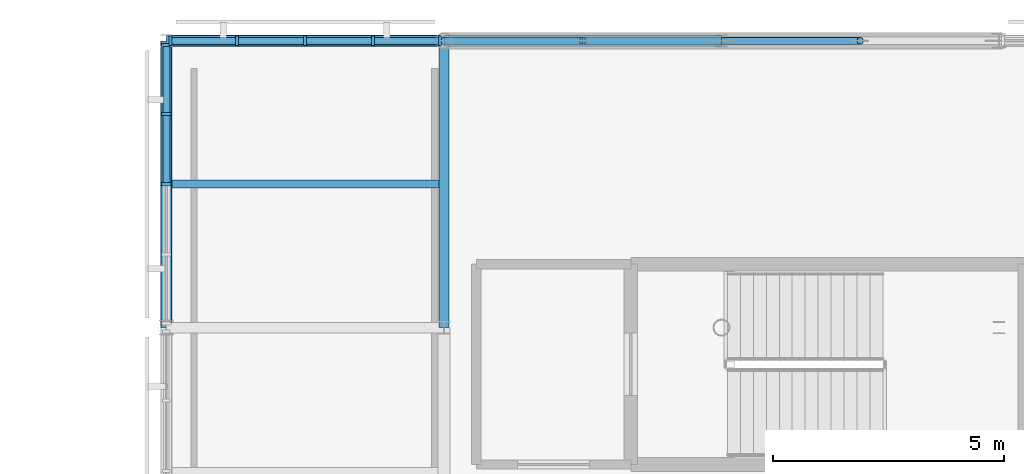
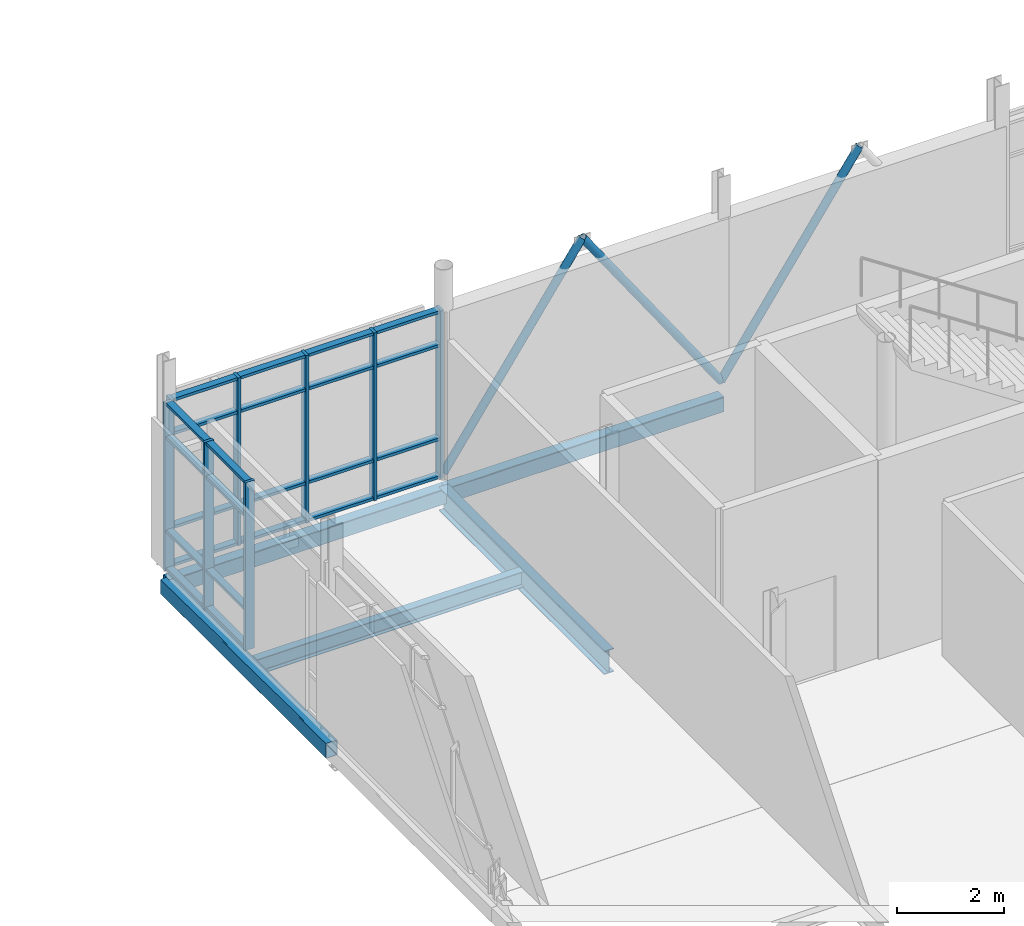
# One storey, part 37 of 84: 35 members, 5 beams, 2 elements without a shape of their own.
"""IFC4 building model written with IfcOpenShell, lengths in metres."""

from ifc_helpers import new_model, si_unit, direction, frame, origin, origin_2d, place, context, subcontext, project, spatial, rectangle, hollow_rectangle, hollow_circle, i_section, extrude, material, layer, layer_set, material_profile, profile_set, type_object, element, aggregate, save


model = new_model("IFC4")

# Units and contexts
model_context = context("Model", 3, precision=1e-05, world=origin(), true_north=direction((0.0, 1.0)))
body_context = subcontext(model_context, "Body", "Model", "MODEL_VIEW")
ifc_project = project(units=[si_unit("LENGTHUNIT", "METRE"), si_unit("AREAUNIT", "SQUARE_METRE"), si_unit("VOLUMEUNIT", "CUBIC_METRE"), si_unit("PLANEANGLEUNIT", "RADIAN"), si_unit("MASSUNIT", "GRAM", prefix="KILO")], contexts=[model_context])

# Site, building, storey
site_placement = place(None, origin())
site = spatial("IfcSite", under=ifc_project, at=site_placement, CompositionType="ELEMENT")
building_placement = place(site_placement, origin())
building = spatial("IfcBuilding", under=site, at=building_placement, Name="Mirzam Square Science Centre", CompositionType="ELEMENT")
storey_placement = place(building_placement, frame((0.0, 0.0, 10.800048828125)))
storey = spatial("IfcBuildingStorey", under=building, at=storey_placement, Name="L02", CompositionType="ELEMENT", Elevation=10.800048828125)

# Beam
ifc_material_1 = material(Name="Steel S355", Category="steel")
ifc_material_profile_1 = material_profile(ifc_material_1, i_section(OverallWidth=0.2099609375, OverallDepth=0.53662109375, WebThickness=0.0107421875, FlangeThickness=0.017333984375, FilletRadius=0.0126953125, at=origin_2d()), Name="533x210x101UB")
ifc_profile_set_1 = profile_set([ifc_material_profile_1], Name="Steel S355")
beam_type_1 = type_object("IfcBeamType", Name="BM-UB533", PredefinedType="BEAM", material=ifc_profile_set_1)
beam_1_placement = place(storey_placement, frame((120.0, 105.39990234375, -0.518310546875), z_axis=(0.0, 1.0, 0.0), x_axis=(-1.0, 0.0, 0.0)))
element("IfcBeam", 1, at=beam_1_placement, inside=storey, type_object=beam_type_1, Name="L02 girder Y21-18", PredefinedType="BEAM", context=body_context, shape_type="SweptSolid", body=[
    extrude(i_section(OverallWidth=0.2099609375, OverallDepth=0.53662109375, WebThickness=0.0107421875, FlangeThickness=0.017333984375, FilletRadius=0.0126953125, at=origin_2d()), origin(), (0.0, 0.0, 1.0), 6.2001953125),
])

# Members
ifc_material_profile_2 = material_profile(ifc_material_1, hollow_circle(Radius=0.084228515625, WallThickness=0.008056640625, at=origin_2d()), Name="168.3x8.0CHS")
ifc_profile_set_2 = profile_set([ifc_material_profile_2], Name="Steel S355")
member_type_1 = type_object("IfcMemberType", Name="BR-CHS168", PredefinedType="BRACE", material=ifc_profile_set_2)
for number, where, z_axis, x_axis, name in (
    (2, (120.0, 111.60009765625, 0.050048828125), (0.56995502797, 0.0, 0.821675888712), (0.0, 1.0, 0.0), "L02 chevron brace 8A"),
    (3, (126.0, 111.60009765625, 0.050048828125), (-0.56995502797, 0.0, 0.821675888712), (0.0, -1.0, 0.0), "L02 chevron brace 8B"),
    (4, (126.0, 111.60009765625, 0.050048828125), (0.56995502797, 0.0, 0.821675888712), (0.0, 1.0, 0.0), "L02 chevron brace 9A"),
):
    element("IfcMember", number, at=place(storey_placement, frame(where, z_axis=z_axis, x_axis=x_axis)), inside=storey, type_object=member_type_1, Name=name, PredefinedType="BRACE", context=body_context, shape_type="SweptSolid", body=[
        extrude(hollow_circle(Radius=0.084228515625, WallThickness=0.008056640625, at=origin_2d()), origin(), (0.0, 0.0, 1.0), 5.263671875),
    ])

# Curtain wall, members
ifc_material_2 = material(Name="Anodised Aluminium and Low-E Solar Glass", Category="aluminium")
ifc_layer_1 = layer(ifc_material_2, 0.159912109375)
ifc_layer_set_1 = layer_set([ifc_layer_1], Name="CW-COURT-B")
curtain_wall_type_1 = type_object("IfcCurtainWallType", Name="CW-COURT-B", PredefinedType="USERDEFINED", material=ifc_layer_set_1)
curtain_wall_1_placement = place(storey_placement, origin())
curtain_wall_1 = element("IfcCurtainWall", 5, at=curtain_wall_1_placement, inside=storey, type_object=curtain_wall_type_1, Name="L02 unitised curtain wall 113", ObjectType="UNITISED CURTAIN WALL", PredefinedType="USERDEFINED")
ifc_material_3 = material(Name="Anodised Architectural Aluminium 6063-T6", Category="aluminium")
ifc_material_profile_3 = material_profile(ifc_material_3, rectangle(XDim=0.06494140625, YDim=0.199951171875, at=origin_2d()), Name="ALU-MULL-200x65x5")
ifc_profile_set_3 = profile_set([ifc_material_profile_3], Name="Anodised Architectural Aluminium 6063-T6")
member_type_2 = type_object("IfcMemberType", Name="CWM-200", PredefinedType="MULLION", material=ifc_profile_set_3)
member_1_placement = place(storey_placement, frame((119.91259765625, 111.60009765625, 0.0), z_axis=(0.0, 0.0, 1.0), x_axis=(-1.0, 0.0, 0.0)))
member_1 = element("IfcMember", 6, at=member_1_placement, type_object=member_type_2, Name="CW-04 mullion 1", PredefinedType="MULLION", context=body_context, shape_type="SweptSolid", body=[
    extrude(rectangle(XDim=0.06494140625, YDim=0.199951171875, at=origin_2d()), origin(), (0.0, 0.0, 1.0), 3.83984375),
])
member_2_placement = place(storey_placement, frame((118.472412109375, 111.60009765625, 0.0), z_axis=(0.0, 0.0, 1.0), x_axis=(-1.0, 0.0, 0.0)))
member_2 = element("IfcMember", 7, at=member_2_placement, type_object=member_type_2, Name="CW-04 mullion 2", PredefinedType="MULLION", context=body_context, shape_type="SweptSolid", body=[
    extrude(rectangle(XDim=0.06494140625, YDim=0.199951171875, at=origin_2d()), origin(), (0.0, 0.0, 1.0), 3.83984375),
])
member_3_placement = place(storey_placement, frame((117.0, 111.60009765625, 0.0), z_axis=(0.0, 0.0, 1.0), x_axis=(-1.0, 0.0, 0.0)))
member_3 = element("IfcMember", 8, at=member_3_placement, type_object=member_type_2, Name="CW-04 mullion 3", PredefinedType="MULLION", context=body_context, shape_type="SweptSolid", body=[
    extrude(rectangle(XDim=0.06494140625, YDim=0.199951171875, at=origin_2d()), origin(), (0.0, 0.0, 1.0), 3.83984375),
])
member_4_placement = place(storey_placement, frame((115.527587890625, 111.60009765625, 0.0), z_axis=(0.0, 0.0, 1.0), x_axis=(-1.0, 0.0, 0.0)))
member_4 = element("IfcMember", 9, at=member_4_placement, type_object=member_type_2, Name="CW-04 mullion 4", PredefinedType="MULLION", context=body_context, shape_type="SweptSolid", body=[
    extrude(rectangle(XDim=0.06494140625, YDim=0.199951171875, at=origin_2d()), origin(), (0.0, 0.0, 1.0), 3.83984375),
])
member_5_placement = place(storey_placement, frame((114.08740234375, 111.60009765625, 0.0), z_axis=(0.0, 0.0, 1.0), x_axis=(-1.0, 0.0, 0.0)))
member_5 = element("IfcMember", 10, at=member_5_placement, type_object=member_type_2, Name="CW-04 mullion 5", PredefinedType="MULLION", context=body_context, shape_type="SweptSolid", body=[
    extrude(rectangle(XDim=0.06494140625, YDim=0.199951171875, at=origin_2d()), origin(), (0.0, 0.0, 1.0), 3.83984375),
])

ifc_layer_2 = layer(ifc_material_2, 0.199951171875)
ifc_layer_set_2 = layer_set([ifc_layer_2], Name="CW-EAST-A")
curtain_wall_type_2 = type_object("IfcCurtainWallType", Name="CW-EAST-A", PredefinedType="USERDEFINED", material=ifc_layer_set_2)
curtain_wall_2_placement = place(storey_placement, origin())
curtain_wall_2 = element("IfcCurtainWall", 11, at=curtain_wall_2_placement, inside=storey, type_object=curtain_wall_type_2, Name="L02 unitised curtain wall 121", ObjectType="UNITISED CURTAIN WALL", PredefinedType="USERDEFINED")
member_6_placement = place(storey_placement, frame((114.0, 111.512451171875, 0.0), z_axis=(0.0, 0.0, 1.0), x_axis=(0.0, -1.0, 0.0)))
member_6 = element("IfcMember", 12, at=member_6_placement, type_object=member_type_2, Name="CW-05 mullion 1", PredefinedType="MULLION", context=body_context, shape_type="SweptSolid", body=[
    extrude(rectangle(XDim=0.06494140625, YDim=0.199951171875, at=origin_2d()), origin(), (0.0, 0.0, 1.0), 3.83984375),
])
member_7_placement = place(storey_placement, frame((114.0, 110.0224609375, 0.0), z_axis=(0.0, 0.0, 1.0), x_axis=(0.0, -1.0, 0.0)))
member_7 = element("IfcMember", 13, at=member_7_placement, type_object=member_type_2, Name="CW-05 mullion 2", PredefinedType="MULLION", context=body_context, shape_type="SweptSolid", body=[
    extrude(rectangle(XDim=0.06494140625, YDim=0.199951171875, at=origin_2d()), origin(), (0.0, 0.0, 1.0), 3.83984375),
])
member_8_placement = place(storey_placement, frame((114.0, 108.5, 0.0), z_axis=(0.0, 0.0, 1.0), x_axis=(0.0, -1.0, 0.0)))
member_8 = element("IfcMember", 14, at=member_8_placement, type_object=member_type_2, Name="CW-05 mullion 3", PredefinedType="MULLION", context=body_context, shape_type="SweptSolid", body=[
    extrude(rectangle(XDim=0.06494140625, YDim=0.199951171875, at=origin_2d()), origin(), (0.0, 0.0, 1.0), 3.83984375),
])

# Member
ifc_material_profile_4 = material_profile(ifc_material_3, rectangle(XDim=0.14990234375, YDim=0.06494140625, at=origin_2d()), Name="ALU-TRAN-150x65x4")
ifc_profile_set_4 = profile_set([ifc_material_profile_4], Name="Anodised Architectural Aluminium 6063-T6")
member_type_3 = type_object("IfcMemberType", Name="CWT-150", PredefinedType="USERDEFINED", material=ifc_profile_set_4)
member_9_placement = place(storey_placement, frame((119.8798828125, 111.60009765625, 0.032470703125), z_axis=(-1.0, 0.0, 0.0), x_axis=(0.0, -1.0, 0.0)))
member_9 = element("IfcMember", 15, at=member_9_placement, type_object=member_type_3, Name="CW-04 transom 1.1", ObjectType="TRANSOM", PredefinedType="USERDEFINED", context=body_context, shape_type="SweptSolid", body=[
    extrude(rectangle(XDim=0.14990234375, YDim=0.06494140625, at=origin_2d()), origin(), (0.0, 0.0, 1.0), 1.375),
])

member_10_placement = place(storey_placement, frame((119.8798828125, 111.60009765625, 0.89990234375), z_axis=(-1.0, 0.0, 0.0), x_axis=(0.0, -1.0, 0.0)))
member_10 = element("IfcMember", 16, at=member_10_placement, type_object=member_type_3, Name="CW-04 transom 1.2", ObjectType="TRANSOM", PredefinedType="USERDEFINED", context=body_context, shape_type="SweptSolid", body=[
    extrude(rectangle(XDim=0.14990234375, YDim=0.06494140625, at=origin_2d()), origin(), (0.0, 0.0, 1.0), 1.375),
])

member_11_placement = place(storey_placement, frame((119.8798828125, 111.60009765625, 3.0400390625), z_axis=(-1.0, 0.0, 0.0), x_axis=(0.0, -1.0, 0.0)))
member_11 = element("IfcMember", 17, at=member_11_placement, type_object=member_type_3, Name="CW-04 transom 1.3", ObjectType="TRANSOM", PredefinedType="USERDEFINED", context=body_context, shape_type="SweptSolid", body=[
    extrude(rectangle(XDim=0.14990234375, YDim=0.06494140625, at=origin_2d()), origin(), (0.0, 0.0, 1.0), 1.375),
])

member_12_placement = place(storey_placement, frame((119.8798828125, 111.60009765625, 3.807373046875), z_axis=(-1.0, 0.0, 0.0), x_axis=(0.0, -1.0, 0.0)))
member_12 = element("IfcMember", 18, at=member_12_placement, type_object=member_type_3, Name="CW-04 transom 1.4", ObjectType="TRANSOM", PredefinedType="USERDEFINED", context=body_context, shape_type="SweptSolid", body=[
    extrude(rectangle(XDim=0.14990234375, YDim=0.06494140625, at=origin_2d()), origin(), (0.0, 0.0, 1.0), 1.375),
])

member_13_placement = place(storey_placement, frame((118.43994140625, 111.60009765625, 0.032470703125), z_axis=(-1.0, 0.0, 0.0), x_axis=(0.0, -1.0, 0.0)))
member_13 = element("IfcMember", 19, at=member_13_placement, type_object=member_type_3, Name="CW-04 transom 2.1", ObjectType="TRANSOM", PredefinedType="USERDEFINED", context=body_context, shape_type="SweptSolid", body=[
    extrude(rectangle(XDim=0.14990234375, YDim=0.06494140625, at=origin_2d()), origin(), (0.0, 0.0, 1.0), 1.407470703125),
])

member_14_placement = place(storey_placement, frame((118.43994140625, 111.60009765625, 0.89990234375), z_axis=(-1.0, 0.0, 0.0), x_axis=(0.0, -1.0, 0.0)))
member_14 = element("IfcMember", 20, at=member_14_placement, type_object=member_type_3, Name="CW-04 transom 2.2", ObjectType="TRANSOM", PredefinedType="USERDEFINED", context=body_context, shape_type="SweptSolid", body=[
    extrude(rectangle(XDim=0.14990234375, YDim=0.06494140625, at=origin_2d()), origin(), (0.0, 0.0, 1.0), 1.407470703125),
])

member_15_placement = place(storey_placement, frame((118.43994140625, 111.60009765625, 3.0400390625), z_axis=(-1.0, 0.0, 0.0), x_axis=(0.0, -1.0, 0.0)))
member_15 = element("IfcMember", 21, at=member_15_placement, type_object=member_type_3, Name="CW-04 transom 2.3", ObjectType="TRANSOM", PredefinedType="USERDEFINED", context=body_context, shape_type="SweptSolid", body=[
    extrude(rectangle(XDim=0.14990234375, YDim=0.06494140625, at=origin_2d()), origin(), (0.0, 0.0, 1.0), 1.407470703125),
])

member_16_placement = place(storey_placement, frame((118.43994140625, 111.60009765625, 3.807373046875), z_axis=(-1.0, 0.0, 0.0), x_axis=(0.0, -1.0, 0.0)))
member_16 = element("IfcMember", 22, at=member_16_placement, type_object=member_type_3, Name="CW-04 transom 2.4", ObjectType="TRANSOM", PredefinedType="USERDEFINED", context=body_context, shape_type="SweptSolid", body=[
    extrude(rectangle(XDim=0.14990234375, YDim=0.06494140625, at=origin_2d()), origin(), (0.0, 0.0, 1.0), 1.407470703125),
])

member_17_placement = place(storey_placement, frame((116.967529296875, 111.60009765625, 0.032470703125), z_axis=(-1.0, 0.0, 0.0), x_axis=(0.0, -1.0, 0.0)))
member_17 = element("IfcMember", 23, at=member_17_placement, type_object=member_type_3, Name="CW-04 transom 3.1", ObjectType="TRANSOM", PredefinedType="USERDEFINED", context=body_context, shape_type="SweptSolid", body=[
    extrude(rectangle(XDim=0.14990234375, YDim=0.06494140625, at=origin_2d()), origin(), (0.0, 0.0, 1.0), 1.407470703125),
])

member_18_placement = place(storey_placement, frame((116.967529296875, 111.60009765625, 0.89990234375), z_axis=(-1.0, 0.0, 0.0), x_axis=(0.0, -1.0, 0.0)))
member_18 = element("IfcMember", 24, at=member_18_placement, type_object=member_type_3, Name="CW-04 transom 3.2", ObjectType="TRANSOM", PredefinedType="USERDEFINED", context=body_context, shape_type="SweptSolid", body=[
    extrude(rectangle(XDim=0.14990234375, YDim=0.06494140625, at=origin_2d()), origin(), (0.0, 0.0, 1.0), 1.407470703125),
])

member_19_placement = place(storey_placement, frame((116.967529296875, 111.60009765625, 3.0400390625), z_axis=(-1.0, 0.0, 0.0), x_axis=(0.0, -1.0, 0.0)))
member_19 = element("IfcMember", 25, at=member_19_placement, type_object=member_type_3, Name="CW-04 transom 3.3", ObjectType="TRANSOM", PredefinedType="USERDEFINED", context=body_context, shape_type="SweptSolid", body=[
    extrude(rectangle(XDim=0.14990234375, YDim=0.06494140625, at=origin_2d()), origin(), (0.0, 0.0, 1.0), 1.407470703125),
])

member_20_placement = place(storey_placement, frame((116.967529296875, 111.60009765625, 3.807373046875), z_axis=(-1.0, 0.0, 0.0), x_axis=(0.0, -1.0, 0.0)))
member_20 = element("IfcMember", 26, at=member_20_placement, type_object=member_type_3, Name="CW-04 transom 3.4", ObjectType="TRANSOM", PredefinedType="USERDEFINED", context=body_context, shape_type="SweptSolid", body=[
    extrude(rectangle(XDim=0.14990234375, YDim=0.06494140625, at=origin_2d()), origin(), (0.0, 0.0, 1.0), 1.407470703125),
])

member_21_placement = place(storey_placement, frame((115.4951171875, 111.60009765625, 0.032470703125), z_axis=(-1.0, 0.0, 0.0), x_axis=(0.0, -1.0, 0.0)))
member_21 = element("IfcMember", 27, at=member_21_placement, type_object=member_type_3, Name="CW-04 transom 4.1", ObjectType="TRANSOM", PredefinedType="USERDEFINED", context=body_context, shape_type="SweptSolid", body=[
    extrude(rectangle(XDim=0.14990234375, YDim=0.06494140625, at=origin_2d()), origin(), (0.0, 0.0, 1.0), 1.375),
])

member_22_placement = place(storey_placement, frame((115.4951171875, 111.60009765625, 0.89990234375), z_axis=(-1.0, 0.0, 0.0), x_axis=(0.0, -1.0, 0.0)))
member_22 = element("IfcMember", 28, at=member_22_placement, type_object=member_type_3, Name="CW-04 transom 4.2", ObjectType="TRANSOM", PredefinedType="USERDEFINED", context=body_context, shape_type="SweptSolid", body=[
    extrude(rectangle(XDim=0.14990234375, YDim=0.06494140625, at=origin_2d()), origin(), (0.0, 0.0, 1.0), 1.375),
])

member_23_placement = place(storey_placement, frame((115.4951171875, 111.60009765625, 3.0400390625), z_axis=(-1.0, 0.0, 0.0), x_axis=(0.0, -1.0, 0.0)))
member_23 = element("IfcMember", 29, at=member_23_placement, type_object=member_type_3, Name="CW-04 transom 4.3", ObjectType="TRANSOM", PredefinedType="USERDEFINED", context=body_context, shape_type="SweptSolid", body=[
    extrude(rectangle(XDim=0.14990234375, YDim=0.06494140625, at=origin_2d()), origin(), (0.0, 0.0, 1.0), 1.375),
])

member_24_placement = place(storey_placement, frame((115.4951171875, 111.60009765625, 3.807373046875), z_axis=(-1.0, 0.0, 0.0), x_axis=(0.0, -1.0, 0.0)))
member_24 = element("IfcMember", 30, at=member_24_placement, type_object=member_type_3, Name="CW-04 transom 4.4", ObjectType="TRANSOM", PredefinedType="USERDEFINED", context=body_context, shape_type="SweptSolid", body=[
    extrude(rectangle(XDim=0.14990234375, YDim=0.06494140625, at=origin_2d()), origin(), (0.0, 0.0, 1.0), 1.375),
])

aggregate(curtain_wall_1, [member_1, member_2, member_3, member_4, member_5, member_9, member_10, member_11, member_12, member_13, member_14, member_15, member_16, member_17, member_18, member_19, member_20, member_21, member_22, member_23, member_24])

member_25_placement = place(storey_placement, frame((114.0, 111.47998046875, 0.032470703125), z_axis=(0.0, -1.0, 0.0), x_axis=(1.0, 0.0, 0.0)))
member_25 = element("IfcMember", 31, at=member_25_placement, type_object=member_type_3, Name="CW-05 transom 1.1", ObjectType="TRANSOM", PredefinedType="USERDEFINED", context=body_context, shape_type="SweptSolid", body=[
    extrude(rectangle(XDim=0.14990234375, YDim=0.06494140625, at=origin_2d()), origin(), (0.0, 0.0, 1.0), 1.425048828125),
])

member_26_placement = place(storey_placement, frame((114.0, 111.47998046875, 0.89990234375), z_axis=(0.0, -1.0, 0.0), x_axis=(1.0, 0.0, 0.0)))
member_26 = element("IfcMember", 32, at=member_26_placement, type_object=member_type_3, Name="CW-05 transom 1.2", ObjectType="TRANSOM", PredefinedType="USERDEFINED", context=body_context, shape_type="SweptSolid", body=[
    extrude(rectangle(XDim=0.14990234375, YDim=0.06494140625, at=origin_2d()), origin(), (0.0, 0.0, 1.0), 1.425048828125),
])

member_27_placement = place(storey_placement, frame((114.0, 111.47998046875, 3.0400390625), z_axis=(0.0, -1.0, 0.0), x_axis=(1.0, 0.0, 0.0)))
member_27 = element("IfcMember", 33, at=member_27_placement, type_object=member_type_3, Name="CW-05 transom 1.3", ObjectType="TRANSOM", PredefinedType="USERDEFINED", context=body_context, shape_type="SweptSolid", body=[
    extrude(rectangle(XDim=0.14990234375, YDim=0.06494140625, at=origin_2d()), origin(), (0.0, 0.0, 1.0), 1.425048828125),
])

member_28_placement = place(storey_placement, frame((114.0, 111.47998046875, 3.807373046875), z_axis=(0.0, -1.0, 0.0), x_axis=(1.0, 0.0, 0.0)))
member_28 = element("IfcMember", 34, at=member_28_placement, type_object=member_type_3, Name="CW-05 transom 1.4", ObjectType="TRANSOM", PredefinedType="USERDEFINED", context=body_context, shape_type="SweptSolid", body=[
    extrude(rectangle(XDim=0.14990234375, YDim=0.06494140625, at=origin_2d()), origin(), (0.0, 0.0, 1.0), 1.425048828125),
])

member_29_placement = place(storey_placement, frame((114.0, 109.989990234375, 0.032470703125), z_axis=(0.0, -1.0, 0.0), x_axis=(1.0, 0.0, 0.0)))
member_29 = element("IfcMember", 35, at=member_29_placement, type_object=member_type_3, Name="CW-05 transom 2.1", ObjectType="TRANSOM", PredefinedType="USERDEFINED", context=body_context, shape_type="SweptSolid", body=[
    extrude(rectangle(XDim=0.14990234375, YDim=0.06494140625, at=origin_2d()), origin(), (0.0, 0.0, 1.0), 1.45751953125),
])

member_30_placement = place(storey_placement, frame((114.0, 109.989990234375, 0.89990234375), z_axis=(0.0, -1.0, 0.0), x_axis=(1.0, 0.0, 0.0)))
member_30 = element("IfcMember", 36, at=member_30_placement, type_object=member_type_3, Name="CW-05 transom 2.2", ObjectType="TRANSOM", PredefinedType="USERDEFINED", context=body_context, shape_type="SweptSolid", body=[
    extrude(rectangle(XDim=0.14990234375, YDim=0.06494140625, at=origin_2d()), origin(), (0.0, 0.0, 1.0), 1.45751953125),
])

member_31_placement = place(storey_placement, frame((114.0, 109.989990234375, 3.0400390625), z_axis=(0.0, -1.0, 0.0), x_axis=(1.0, 0.0, 0.0)))
member_31 = element("IfcMember", 37, at=member_31_placement, type_object=member_type_3, Name="CW-05 transom 2.3", ObjectType="TRANSOM", PredefinedType="USERDEFINED", context=body_context, shape_type="SweptSolid", body=[
    extrude(rectangle(XDim=0.14990234375, YDim=0.06494140625, at=origin_2d()), origin(), (0.0, 0.0, 1.0), 1.45751953125),
])

member_32_placement = place(storey_placement, frame((114.0, 109.989990234375, 3.807373046875), z_axis=(0.0, -1.0, 0.0), x_axis=(1.0, 0.0, 0.0)))
member_32 = element("IfcMember", 38, at=member_32_placement, type_object=member_type_3, Name="CW-05 transom 2.4", ObjectType="TRANSOM", PredefinedType="USERDEFINED", context=body_context, shape_type="SweptSolid", body=[
    extrude(rectangle(XDim=0.14990234375, YDim=0.06494140625, at=origin_2d()), origin(), (0.0, 0.0, 1.0), 1.45751953125),
])

aggregate(curtain_wall_2, [member_6, member_7, member_8, member_25, member_26, member_27, member_28, member_29, member_30, member_31, member_32])

# Beams
ifc_material_profile_5 = material_profile(ifc_material_1, i_section(OverallWidth=0.172119140625, OverallDepth=0.35791015625, WebThickness=0.008056640625, FlangeThickness=0.012939453125, FilletRadius=0.01025390625, at=origin_2d()), Name="356x171x57UB")
ifc_profile_set_5 = profile_set([ifc_material_profile_5], Name="Steel S355")
beam_type_2 = type_object("IfcBeamType", Name="JS-UB356", PredefinedType="JOIST", material=ifc_profile_set_5)
beam_2_placement = place(storey_placement, frame((114.125, 108.5, -0.428955078125), z_axis=(1.0, 0.0, 0.0), x_axis=(0.0, 1.0, 0.0)))
element("IfcBeam", 39, at=beam_2_placement, inside=storey, type_object=beam_type_2, Name="L02 composite joist 20-18", PredefinedType="JOIST", context=body_context, shape_type="SweptSolid", body=[
    extrude(i_section(OverallWidth=0.172119140625, OverallDepth=0.35791015625, WebThickness=0.008056640625, FlangeThickness=0.012939453125, FilletRadius=0.01025390625, at=origin_2d()), origin(), (0.0, 0.0, 1.0), 5.77001953125),
])
ifc_material_profile_6 = material_profile(ifc_material_1, hollow_rectangle(XDim=0.25, YDim=0.35009765625, WallThickness=0.012451171875, InnerFilletRadius=0.012451171875, OuterFilletRadius=0.02490234375, at=origin_2d()), Name="350x250x12.5RHS")
ifc_profile_set_6 = profile_set([ifc_material_profile_6], Name="Steel S355")
beam_type_3 = type_object("IfcBeamType", Name="SP-RHS350", PredefinedType="SPANDREL", material=ifc_profile_set_6)
for number, where, z_axis, x_axis, name in (
    (40, (114.0, 111.60009765625, -0.425048828125), (1.0, 0.0, 0.0), (0.0, 1.0, 0.0), "L02 girder X20-19"),
    (41, (120.0, 111.60009765625, -0.425048828125), (1.0, 0.0, 0.0), (0.0, 1.0, 0.0), "L02 girder X21-19"),
):
    element("IfcBeam", number, at=place(storey_placement, frame(where, z_axis=z_axis, x_axis=x_axis)), inside=storey, type_object=beam_type_3, Name=name, PredefinedType="SPANDREL", context=body_context, shape_type="SweptSolid", body=[
        extrude(hollow_rectangle(XDim=0.25, YDim=0.35009765625, WallThickness=0.012451171875, InnerFilletRadius=0.012451171875, OuterFilletRadius=0.02490234375, at=origin_2d()), origin(), (0.0, 0.0, 1.0), 6.0),
    ])
beam_3_placement = place(storey_placement, frame((114.0, 105.39990234375, -0.425048828125), z_axis=(0.0, 1.0, 0.0), x_axis=(-1.0, 0.0, 0.0)))
element("IfcBeam", 42, at=beam_3_placement, inside=storey, type_object=beam_type_3, Name="L02 girder Y20-18", PredefinedType="SPANDREL", context=body_context, shape_type="SweptSolid", body=[
    extrude(hollow_rectangle(XDim=0.25, YDim=0.35009765625, WallThickness=0.012451171875, InnerFilletRadius=0.012451171875, OuterFilletRadius=0.02490234375, at=origin_2d()), origin(), (0.0, 0.0, 1.0), 6.2001953125),
])

save(model, "model.ifc")
